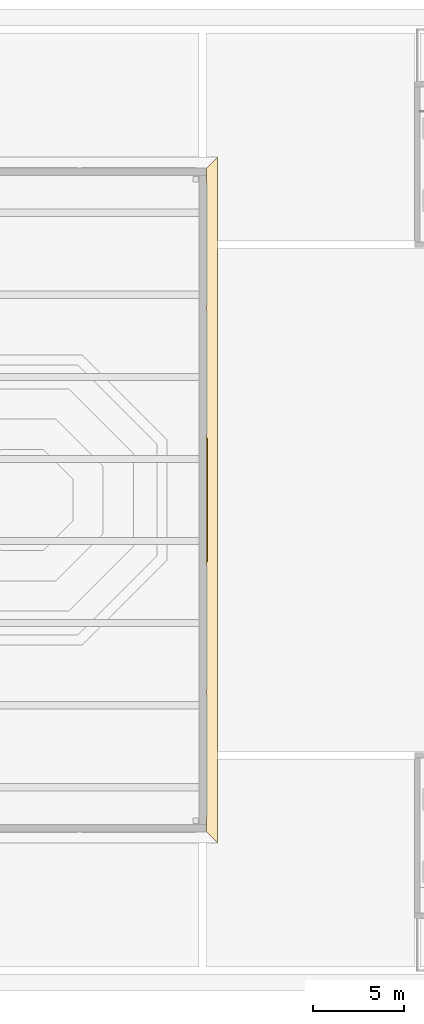
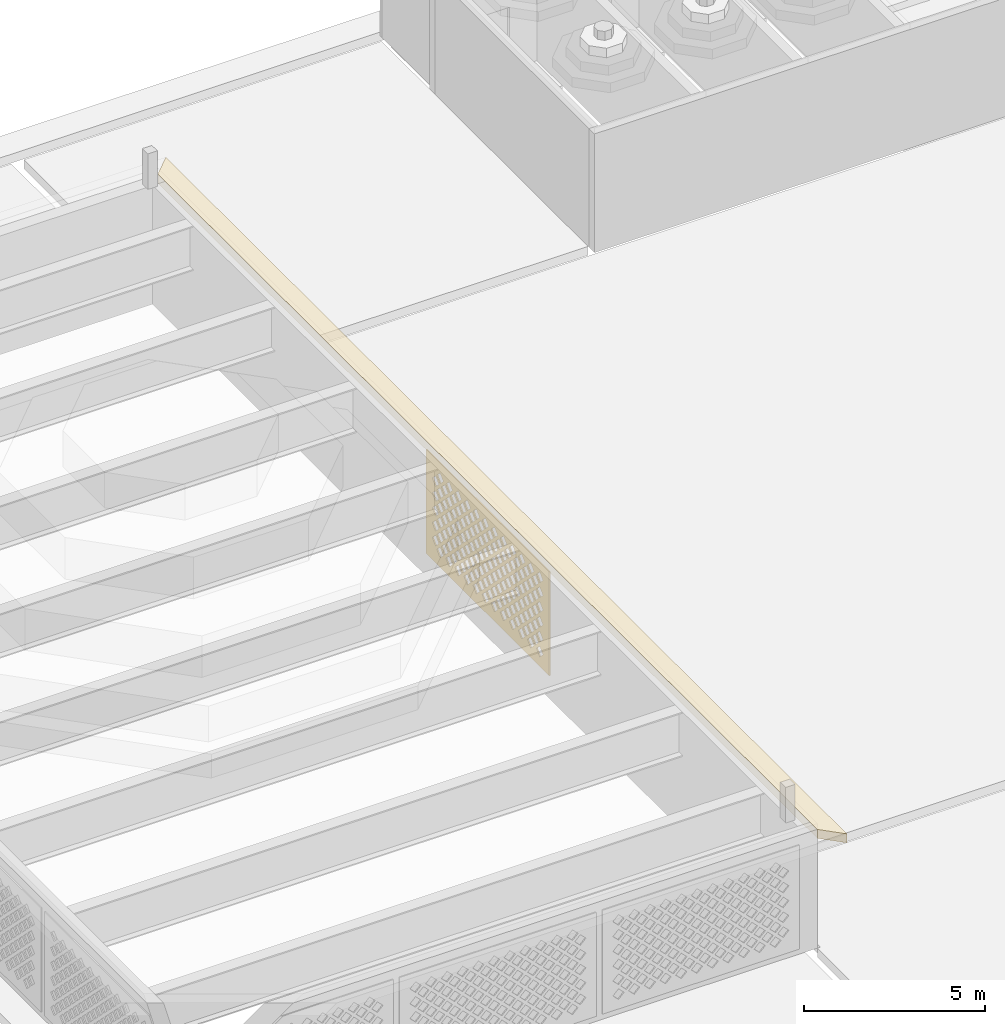
# One storey, part 27 of 63: 2 coverings.
"""IFC4 building model written with IfcOpenShell, lengths in metres."""

import ifcopenshell
import ifcopenshell.guid

model = None  # the IFC model being written
_history = None  # IfcOwnerHistory: only IFC2X3 demands one
_inside = {}  # id of a spatial element -> (the spatial element, [elements in it])
_under = {}  # id of a project, library or spatial element -> (it, [spatial elements below it])
_declared = {}  # id of a project -> (the project, [libraries it declares])
_typed = {}  # id of a type object -> (the type object, [elements of that type])
_made_of = {}  # id of a material, layer set ... -> (it, [elements and type objects made of it])


def new_model(schema):
    """Start an empty IFC model of exactly this schema.

    Asked for "IFC4X3", IfcOpenShell would pick the latest addendum, in which some entities
    have other attributes; the version numbers below select the first issue.
    IFC2X3 requires an IfcOwnerHistory on every rooted entity: one is made here for all.
    """
    global model, _history
    if schema == "IFC4X3":
        model = ifcopenshell.file(schema_version=(4, 3, 0, 0))
    else:
        model = ifcopenshell.file(schema=schema)
    _inside.clear()
    _under.clear()
    _declared.clear()
    _typed.clear()
    _made_of.clear()
    _history = None
    if model.schema == "IFC2X3":
        org = make("IfcOrganization", Name="unknown")
        user = make(
            "IfcPersonAndOrganization",
            ThePerson=make("IfcPerson", FamilyName="unknown"),
            TheOrganization=org,
        )
        app = make(
            "IfcApplication",
            ApplicationDeveloper=org,
            Version="unknown",
            ApplicationFullName="unknown",
            ApplicationIdentifier="unknown",
        )
        _history = make(
            "IfcOwnerHistory",
            OwningUser=user,
            OwningApplication=app,
            ChangeAction="ADDED",
            CreationDate=0,
        )
    return model


def make(cls, **values):
    """One entity of the class cls with the attributes given. An attribute that is None is left unset."""
    return model.create_entity(
        cls, **{name: value for name, value in values.items() if value is not None}
    )


def rooted(cls, **values):
    """An entity with a GlobalId (a new one), such as an element, a storey or a relation."""
    return make(cls, GlobalId=ifcopenshell.guid.new(), OwnerHistory=_history, **values)


def si_unit(unit_type, name, prefix=None):
    """IfcSIUnit, for example si_unit("LENGTHUNIT", "METRE", prefix="MILLI")."""
    return make("IfcSIUnit", UnitType=unit_type, Prefix=prefix, Name=name)


def assignment(units):
    """IfcUnitAssignment: the units of a project."""
    return None if units is None else make("IfcUnitAssignment", Units=units)


def point(xyz):
    """IfcCartesianPoint."""
    return None if xyz is None else make("IfcCartesianPoint", Coordinates=xyz)


def direction(xyz):
    """IfcDirection."""
    return None if xyz is None else make("IfcDirection", DirectionRatios=xyz)


def frame(location, z_axis=None, x_axis=None):
    """IfcAxis2Placement3D, a coordinate frame: its origin and axes. An axis left out is left unset."""
    return make(
        "IfcAxis2Placement3D",
        Location=point(location),
        Axis=direction(z_axis),
        RefDirection=direction(x_axis),
    )


def origin():
    """The frame at (0, 0, 0) with its axes left unset."""
    return frame((0.0, 0.0, 0.0))


def place(relative_to, where):
    """IfcLocalPlacement: puts the frame where relative to a parent placement (None: the world)."""
    return make(
        "IfcLocalPlacement", PlacementRelTo=relative_to, RelativePlacement=where
    )


def context(
    kind, dimensions, precision=None, world=None, true_north=None, identifier=None
):
    """IfcGeometricRepresentationContext, for example the 3D "Model" context."""
    return make(
        "IfcGeometricRepresentationContext",
        ContextIdentifier=identifier,
        ContextType=kind,
        CoordinateSpaceDimension=dimensions,
        Precision=precision,
        WorldCoordinateSystem=world,
        TrueNorth=true_north,
    )


def subcontext(parent, identifier, kind, view, scale=None):
    """IfcGeometricRepresentationSubContext, for example "Body" below "Model"."""
    return make(
        "IfcGeometricRepresentationSubContext",
        ContextIdentifier=identifier,
        ContextType=kind,
        ParentContext=parent,
        TargetScale=scale,
        TargetView=view,
    )


def project(units=None, contexts=None):
    """IfcProject with its units and contexts."""
    return rooted(
        "IfcProject",
        Name="project",
        RepresentationContexts=contexts,
        UnitsInContext=assignment(units),
    )


def spatial(cls, under=None, at=None, **own):
    """A site, building, storey or space (cls), placed at a placement, below another one or the project."""
    s = rooted(cls, ObjectPlacement=at, **own)
    if under is not None:
        _under.setdefault(under.id(), (under, []))[1].append(s)
    return s


def polyline(points):
    """IfcPolyline through the points."""
    return make("IfcPolyline", Points=[point(p) for p in points])


def outline(outer, holes=None, kind="AREA"):
    """IfcArbitraryClosedProfileDef: a profile drawn as a closed curve; with holes, ...WithVoids."""
    if holes is None:
        return make("IfcArbitraryClosedProfileDef", ProfileType=kind, OuterCurve=outer)
    return make(
        "IfcArbitraryProfileDefWithVoids",
        ProfileType=kind,
        OuterCurve=outer,
        InnerCurves=holes,
    )


def extrude(swept, where, along, depth):
    """IfcExtrudedAreaSolid: the profile swept, set in the frame where, extruded along a direction by depth."""
    return make(
        "IfcExtrudedAreaSolid",
        SweptArea=swept,
        Position=where,
        ExtrudedDirection=direction(along),
        Depth=depth,
    )


def shape(context_of_items, identifier, shape_type, items):
    """IfcShapeRepresentation: the items that make up one representation, for example the "Body"."""
    return make(
        "IfcShapeRepresentation",
        ContextOfItems=context_of_items,
        RepresentationIdentifier=identifier,
        RepresentationType=shape_type,
        Items=items,
    )


def material(Name=None, Category=None):
    """IfcMaterial."""
    return make("IfcMaterial", Name=Name, Category=Category)


def layer(
    of_material, thickness, ventilated=None, Name=None, Category=None, Priority=None
):
    """IfcMaterialLayer: one layer of a wall or slab, of a material (None: an air gap)."""
    return make(
        "IfcMaterialLayer",
        Material=of_material,
        LayerThickness=thickness,
        IsVentilated=ventilated,
        Name=Name,
        Category=Category,
        Priority=Priority,
    )


def layer_set(layers, Name=None):
    """IfcMaterialLayerSet."""
    return make("IfcMaterialLayerSet", MaterialLayers=layers, LayerSetName=Name)


def made_of(thing, what):
    """Note that an element or type object is made of a material, layer set ...; save() writes the relation."""
    if what is not None:
        _made_of.setdefault(what.id(), (what, []))[1].append(thing)
    return thing


def type_object(cls, material=None, **own):
    """A type object (cls), such as IfcWallType, which elements share."""
    return made_of(rooted(cls, **own), material)


def element(
    cls,
    number,
    at=None,
    inside=None,
    cuts=None,
    type_object=None,
    material=None,
    context=None,
    identifier="Body",
    shape_type=None,
    held_by="IfcProductDefinitionShape",
    body=None,
    shapes=None,
    **own,
):
    """One element of the class cls, such as IfcWall. Its Tag is "e" and its number.

    at: its placement. inside: the storey or other place that contains it. cuts: it is an
    opening in that element (IfcRelVoidsElement). A single representation is given by context,
    identifier, shape_type and body (its items); several are given by shapes. held_by: the class
    of the entity that holds the representations. save() writes the other relations.
    """
    e = rooted(cls, Tag="e%d" % number, ObjectPlacement=at, **own)
    if body is not None:
        shapes = [shape(context, identifier, shape_type, body)]
    if shapes is not None:
        e.Representation = make(held_by, Representations=shapes)
    if inside is not None:
        _inside.setdefault(inside.id(), (inside, []))[1].append(e)
    if cuts is not None:
        rooted(
            "IfcRelVoidsElement", RelatingBuildingElement=cuts, RelatedOpeningElement=e
        )
    if type_object is not None:
        _typed.setdefault(type_object.id(), (type_object, []))[1].append(e)
    return made_of(e, material)


def aggregate(whole, parts):
    """IfcRelAggregates: a whole, such as a stair, and the parts it consists of."""
    return rooted("IfcRelAggregates", RelatingObject=whole, RelatedObjects=parts)


def save(model, path):
    """Write the relations noted so far, then the file.

    IfcRelAggregates (storeys below a building ...), IfcRelContainedInSpatialStructure (elements
    in a storey), IfcRelDefinesByType, IfcRelAssociatesMaterial and IfcRelDeclares: one each for
    every whole, place, type object, material and project.
    """
    for whole, parts in _under.values():
        aggregate(whole, parts)
    for where, things in _inside.values():
        rooted(
            "IfcRelContainedInSpatialStructure",
            RelatedElements=things,
            RelatingStructure=where,
        )
    for kind, things in _typed.values():
        rooted("IfcRelDefinesByType", RelatedObjects=things, RelatingType=kind)
    for what, things in _made_of.values():
        rooted("IfcRelAssociatesMaterial", RelatedObjects=things, RelatingMaterial=what)
    for by, libraries in _declared.values():
        rooted("IfcRelDeclares", RelatingContext=by, RelatedDefinitions=libraries)
    model.write(path)


model = new_model("IFC4")

# Units and contexts
model_context = context("Model", 3, precision=1e-05, world=origin(), true_north=direction((0.0, 1.0)))
body_context = subcontext(model_context, "Body", "Model", "MODEL_VIEW")
ifc_project = project(units=[si_unit("LENGTHUNIT", "METRE"), si_unit("AREAUNIT", "SQUARE_METRE"), si_unit("VOLUMEUNIT", "CUBIC_METRE"), si_unit("PLANEANGLEUNIT", "RADIAN"), si_unit("MASSUNIT", "GRAM", prefix="KILO")], contexts=[model_context])

# Site, building, storey
site_placement = place(None, origin())
site = spatial("IfcSite", under=ifc_project, at=site_placement, CompositionType="ELEMENT")
building_placement = place(site_placement, origin())
building = spatial("IfcBuilding", under=site, at=building_placement, Name="Noorbagh Ring Tower", CompositionType="ELEMENT")
storey_placement = place(building_placement, frame((0.0, 0.0, 25.0)))
storey = spatial("IfcBuildingStorey", under=building, at=storey_placement, Name="L04", CompositionType="ELEMENT", Elevation=25.0)

# Coverings
ifc_material_1 = material(Name="Red sandstone jali", Category="masonry")
ifc_layer = layer(ifc_material_1, 0.0400390625)
ifc_layer_set = layer_set([ifc_layer], Name="Red sandstone jali")
covering_type_1 = type_object("IfcCoveringType", Name="STH-BAND", PredefinedType="USERDEFINED", material=ifc_layer_set)
covering_1_placement = place(storey_placement, frame((-139.760009765625, 1.60009765625, 0.199951171875), z_axis=(1.0, 0.0, 0.0), x_axis=(0.0, 1.0, 0.0)))
element("IfcCovering", 1, at=covering_1_placement, inside=storey, type_object=covering_type_1, Name="Jali band of the stage house", ObjectType="JALI SCREEN", PredefinedType="USERDEFINED", context=body_context, shape_type="SweptSolid", body=[
    extrude(outline(polyline([(0.0, 0.0), (6.7998046875, 0.0), (6.7998046875, 3.5), (0.0, 3.5), (0.0, 0.0)]), holes=[polyline([(0.344970703125, 0.5), (0.52490234375, 0.320068359375), (0.705078125, 0.5), (0.52490234375, 0.679931640625), (0.344970703125, 0.5)]), polyline([(0.844970703125, 0.5), (1.02490234375, 0.320068359375), (1.205078125, 0.5), (1.02490234375, 0.679931640625), (0.844970703125, 0.5)]), polyline([(1.344970703125, 0.5), (1.52490234375, 0.320068359375), (1.705078125, 0.5), (1.52490234375, 0.679931640625), (1.344970703125, 0.5)]), polyline([(1.844970703125, 0.5), (2.02490234375, 0.320068359375), (2.205078125, 0.5), (2.02490234375, 0.679931640625), (1.844970703125, 0.5)]), polyline([(2.344970703125, 0.5), (2.52490234375, 0.320068359375), (2.705078125, 0.5), (2.52490234375, 0.679931640625), (2.344970703125, 0.5)]), polyline([(2.844970703125, 0.5), (3.02490234375, 0.320068359375), (3.205078125, 0.5), (3.02490234375, 0.679931640625), (2.844970703125, 0.5)]), polyline([(3.344970703125, 0.5), (3.52490234375, 0.320068359375), (3.705078125, 0.5), (3.52490234375, 0.679931640625), (3.344970703125, 0.5)]), polyline([(3.844970703125, 0.5), (4.02490234375, 0.320068359375), (4.205078125, 0.5), (4.02490234375, 0.679931640625), (3.844970703125, 0.5)]), polyline([(4.344970703125, 0.5), (4.52490234375, 0.320068359375), (4.705078125, 0.5), (4.52490234375, 0.679931640625), (4.344970703125, 0.5)]), polyline([(4.844970703125, 0.5), (5.02490234375, 0.320068359375), (5.205078125, 0.5), (5.02490234375, 0.679931640625), (4.844970703125, 0.5)]), polyline([(5.344970703125, 0.5), (5.52490234375, 0.320068359375), (5.705078125, 0.5), (5.52490234375, 0.679931640625), (5.344970703125, 0.5)]), polyline([(5.844970703125, 0.5), (6.02490234375, 0.320068359375), (6.205078125, 0.5), (6.02490234375, 0.679931640625), (5.844970703125, 0.5)]), polyline([(0.594970703125, 0.75), (0.77490234375, 0.570068359375), (0.955078125, 0.75), (0.77490234375, 0.929931640625), (0.594970703125, 0.75)]), polyline([(1.094970703125, 0.75), (1.27490234375, 0.570068359375), (1.455078125, 0.75), (1.27490234375, 0.929931640625), (1.094970703125, 0.75)]), polyline([(1.594970703125, 0.75), (1.77490234375, 0.570068359375), (1.955078125, 0.75), (1.77490234375, 0.929931640625), (1.594970703125, 0.75)]), polyline([(2.094970703125, 0.75), (2.27490234375, 0.570068359375), (2.455078125, 0.75), (2.27490234375, 0.929931640625), (2.094970703125, 0.75)]), polyline([(2.594970703125, 0.75), (2.77490234375, 0.570068359375), (2.955078125, 0.75), (2.77490234375, 0.929931640625), (2.594970703125, 0.75)]), polyline([(3.094970703125, 0.75), (3.27490234375, 0.570068359375), (3.455078125, 0.75), (3.27490234375, 0.929931640625), (3.094970703125, 0.75)]), polyline([(3.594970703125, 0.75), (3.77490234375, 0.570068359375), (3.955078125, 0.75), (3.77490234375, 0.929931640625), (3.594970703125, 0.75)]), polyline([(4.094970703125, 0.75), (4.27490234375, 0.570068359375), (4.455078125, 0.75), (4.27490234375, 0.929931640625), (4.094970703125, 0.75)]), polyline([(4.594970703125, 0.75), (4.77490234375, 0.570068359375), (4.955078125, 0.75), (4.77490234375, 0.929931640625), (4.594970703125, 0.75)]), polyline([(5.094970703125, 0.75), (5.27490234375, 0.570068359375), (5.455078125, 0.75), (5.27490234375, 0.929931640625), (5.094970703125, 0.75)]), polyline([(5.594970703125, 0.75), (5.77490234375, 0.570068359375), (5.955078125, 0.75), (5.77490234375, 0.929931640625), (5.594970703125, 0.75)]), polyline([(6.094970703125, 0.75), (6.27490234375, 0.570068359375), (6.455078125, 0.75), (6.27490234375, 0.929931640625), (6.094970703125, 0.75)]), polyline([(0.344970703125, 1.0), (0.52490234375, 0.820068359375), (0.705078125, 1.0), (0.52490234375, 1.179931640625), (0.344970703125, 1.0)]), polyline([(0.844970703125, 1.0), (1.02490234375, 0.820068359375), (1.205078125, 1.0), (1.02490234375, 1.179931640625), (0.844970703125, 1.0)]), polyline([(1.344970703125, 1.0), (1.52490234375, 0.820068359375), (1.705078125, 1.0), (1.52490234375, 1.179931640625), (1.344970703125, 1.0)]), polyline([(1.844970703125, 1.0), (2.02490234375, 0.820068359375), (2.205078125, 1.0), (2.02490234375, 1.179931640625), (1.844970703125, 1.0)]), polyline([(2.344970703125, 1.0), (2.52490234375, 0.820068359375), (2.705078125, 1.0), (2.52490234375, 1.179931640625), (2.344970703125, 1.0)]), polyline([(2.844970703125, 1.0), (3.02490234375, 0.820068359375), (3.205078125, 1.0), (3.02490234375, 1.179931640625), (2.844970703125, 1.0)]), polyline([(3.344970703125, 1.0), (3.52490234375, 0.820068359375), (3.705078125, 1.0), (3.52490234375, 1.179931640625), (3.344970703125, 1.0)]), polyline([(3.844970703125, 1.0), (4.02490234375, 0.820068359375), (4.205078125, 1.0), (4.02490234375, 1.179931640625), (3.844970703125, 1.0)]), polyline([(4.344970703125, 1.0), (4.52490234375, 0.820068359375), (4.705078125, 1.0), (4.52490234375, 1.179931640625), (4.344970703125, 1.0)]), polyline([(4.844970703125, 1.0), (5.02490234375, 0.820068359375), (5.205078125, 1.0), (5.02490234375, 1.179931640625), (4.844970703125, 1.0)]), polyline([(5.344970703125, 1.0), (5.52490234375, 0.820068359375), (5.705078125, 1.0), (5.52490234375, 1.179931640625), (5.344970703125, 1.0)]), polyline([(5.844970703125, 1.0), (6.02490234375, 0.820068359375), (6.205078125, 1.0), (6.02490234375, 1.179931640625), (5.844970703125, 1.0)]), polyline([(0.594970703125, 1.25), (0.77490234375, 1.070068359375), (0.955078125, 1.25), (0.77490234375, 1.429931640625), (0.594970703125, 1.25)]), polyline([(1.094970703125, 1.25), (1.27490234375, 1.070068359375), (1.455078125, 1.25), (1.27490234375, 1.429931640625), (1.094970703125, 1.25)]), polyline([(1.594970703125, 1.25), (1.77490234375, 1.070068359375), (1.955078125, 1.25), (1.77490234375, 1.429931640625), (1.594970703125, 1.25)]), polyline([(2.094970703125, 1.25), (2.27490234375, 1.070068359375), (2.455078125, 1.25), (2.27490234375, 1.429931640625), (2.094970703125, 1.25)]), polyline([(2.594970703125, 1.25), (2.77490234375, 1.070068359375), (2.955078125, 1.25), (2.77490234375, 1.429931640625), (2.594970703125, 1.25)]), polyline([(3.094970703125, 1.25), (3.27490234375, 1.070068359375), (3.455078125, 1.25), (3.27490234375, 1.429931640625), (3.094970703125, 1.25)]), polyline([(3.594970703125, 1.25), (3.77490234375, 1.070068359375), (3.955078125, 1.25), (3.77490234375, 1.429931640625), (3.594970703125, 1.25)]), polyline([(4.094970703125, 1.25), (4.27490234375, 1.070068359375), (4.455078125, 1.25), (4.27490234375, 1.429931640625), (4.094970703125, 1.25)]), polyline([(4.594970703125, 1.25), (4.77490234375, 1.070068359375), (4.955078125, 1.25), (4.77490234375, 1.429931640625), (4.594970703125, 1.25)]), polyline([(5.094970703125, 1.25), (5.27490234375, 1.070068359375), (5.455078125, 1.25), (5.27490234375, 1.429931640625), (5.094970703125, 1.25)]), polyline([(5.594970703125, 1.25), (5.77490234375, 1.070068359375), (5.955078125, 1.25), (5.77490234375, 1.429931640625), (5.594970703125, 1.25)]), polyline([(6.094970703125, 1.25), (6.27490234375, 1.070068359375), (6.455078125, 1.25), (6.27490234375, 1.429931640625), (6.094970703125, 1.25)]), polyline([(0.344970703125, 1.5), (0.52490234375, 1.320068359375), (0.705078125, 1.5), (0.52490234375, 1.679931640625), (0.344970703125, 1.5)]), polyline([(0.844970703125, 1.5), (1.02490234375, 1.320068359375), (1.205078125, 1.5), (1.02490234375, 1.679931640625), (0.844970703125, 1.5)]), polyline([(1.344970703125, 1.5), (1.52490234375, 1.320068359375), (1.705078125, 1.5), (1.52490234375, 1.679931640625), (1.344970703125, 1.5)]), polyline([(1.844970703125, 1.5), (2.02490234375, 1.320068359375), (2.205078125, 1.5), (2.02490234375, 1.679931640625), (1.844970703125, 1.5)]), polyline([(2.344970703125, 1.5), (2.52490234375, 1.320068359375), (2.705078125, 1.5), (2.52490234375, 1.679931640625), (2.344970703125, 1.5)]), polyline([(2.844970703125, 1.5), (3.02490234375, 1.320068359375), (3.205078125, 1.5), (3.02490234375, 1.679931640625), (2.844970703125, 1.5)]), polyline([(3.344970703125, 1.5), (3.52490234375, 1.320068359375), (3.705078125, 1.5), (3.52490234375, 1.679931640625), (3.344970703125, 1.5)]), polyline([(3.844970703125, 1.5), (4.02490234375, 1.320068359375), (4.205078125, 1.5), (4.02490234375, 1.679931640625), (3.844970703125, 1.5)]), polyline([(4.344970703125, 1.5), (4.52490234375, 1.320068359375), (4.705078125, 1.5), (4.52490234375, 1.679931640625), (4.344970703125, 1.5)]), polyline([(4.844970703125, 1.5), (5.02490234375, 1.320068359375), (5.205078125, 1.5), (5.02490234375, 1.679931640625), (4.844970703125, 1.5)]), polyline([(5.344970703125, 1.5), (5.52490234375, 1.320068359375), (5.705078125, 1.5), (5.52490234375, 1.679931640625), (5.344970703125, 1.5)]), polyline([(5.844970703125, 1.5), (6.02490234375, 1.320068359375), (6.205078125, 1.5), (6.02490234375, 1.679931640625), (5.844970703125, 1.5)]), polyline([(0.594970703125, 1.75), (0.77490234375, 1.570068359375), (0.955078125, 1.75), (0.77490234375, 1.929931640625), (0.594970703125, 1.75)]), polyline([(1.094970703125, 1.75), (1.27490234375, 1.570068359375), (1.455078125, 1.75), (1.27490234375, 1.929931640625), (1.094970703125, 1.75)]), polyline([(1.594970703125, 1.75), (1.77490234375, 1.570068359375), (1.955078125, 1.75), (1.77490234375, 1.929931640625), (1.594970703125, 1.75)]), polyline([(2.094970703125, 1.75), (2.27490234375, 1.570068359375), (2.455078125, 1.75), (2.27490234375, 1.929931640625), (2.094970703125, 1.75)]), polyline([(2.594970703125, 1.75), (2.77490234375, 1.570068359375), (2.955078125, 1.75), (2.77490234375, 1.929931640625), (2.594970703125, 1.75)]), polyline([(3.094970703125, 1.75), (3.27490234375, 1.570068359375), (3.455078125, 1.75), (3.27490234375, 1.929931640625), (3.094970703125, 1.75)]), polyline([(3.594970703125, 1.75), (3.77490234375, 1.570068359375), (3.955078125, 1.75), (3.77490234375, 1.929931640625), (3.594970703125, 1.75)]), polyline([(4.094970703125, 1.75), (4.27490234375, 1.570068359375), (4.455078125, 1.75), (4.27490234375, 1.929931640625), (4.094970703125, 1.75)]), polyline([(4.594970703125, 1.75), (4.77490234375, 1.570068359375), (4.955078125, 1.75), (4.77490234375, 1.929931640625), (4.594970703125, 1.75)]), polyline([(5.094970703125, 1.75), (5.27490234375, 1.570068359375), (5.455078125, 1.75), (5.27490234375, 1.929931640625), (5.094970703125, 1.75)]), polyline([(5.594970703125, 1.75), (5.77490234375, 1.570068359375), (5.955078125, 1.75), (5.77490234375, 1.929931640625), (5.594970703125, 1.75)]), polyline([(6.094970703125, 1.75), (6.27490234375, 1.570068359375), (6.455078125, 1.75), (6.27490234375, 1.929931640625), (6.094970703125, 1.75)]), polyline([(0.344970703125, 2.0), (0.52490234375, 1.820068359375), (0.705078125, 2.0), (0.52490234375, 2.179931640625), (0.344970703125, 2.0)]), polyline([(0.844970703125, 2.0), (1.02490234375, 1.820068359375), (1.205078125, 2.0), (1.02490234375, 2.179931640625), (0.844970703125, 2.0)]), polyline([(1.344970703125, 2.0), (1.52490234375, 1.820068359375), (1.705078125, 2.0), (1.52490234375, 2.179931640625), (1.344970703125, 2.0)]), polyline([(1.844970703125, 2.0), (2.02490234375, 1.820068359375), (2.205078125, 2.0), (2.02490234375, 2.179931640625), (1.844970703125, 2.0)]), polyline([(2.344970703125, 2.0), (2.52490234375, 1.820068359375), (2.705078125, 2.0), (2.52490234375, 2.179931640625), (2.344970703125, 2.0)]), polyline([(2.844970703125, 2.0), (3.02490234375, 1.820068359375), (3.205078125, 2.0), (3.02490234375, 2.179931640625), (2.844970703125, 2.0)]), polyline([(3.344970703125, 2.0), (3.52490234375, 1.820068359375), (3.705078125, 2.0), (3.52490234375, 2.179931640625), (3.344970703125, 2.0)]), polyline([(3.844970703125, 2.0), (4.02490234375, 1.820068359375), (4.205078125, 2.0), (4.02490234375, 2.179931640625), (3.844970703125, 2.0)]), polyline([(4.344970703125, 2.0), (4.52490234375, 1.820068359375), (4.705078125, 2.0), (4.52490234375, 2.179931640625), (4.344970703125, 2.0)]), polyline([(4.844970703125, 2.0), (5.02490234375, 1.820068359375), (5.205078125, 2.0), (5.02490234375, 2.179931640625), (4.844970703125, 2.0)]), polyline([(5.344970703125, 2.0), (5.52490234375, 1.820068359375), (5.705078125, 2.0), (5.52490234375, 2.179931640625), (5.344970703125, 2.0)]), polyline([(5.844970703125, 2.0), (6.02490234375, 1.820068359375), (6.205078125, 2.0), (6.02490234375, 2.179931640625), (5.844970703125, 2.0)]), polyline([(0.594970703125, 2.25), (0.77490234375, 2.070068359375), (0.955078125, 2.25), (0.77490234375, 2.429931640625), (0.594970703125, 2.25)]), polyline([(1.094970703125, 2.25), (1.27490234375, 2.070068359375), (1.455078125, 2.25), (1.27490234375, 2.429931640625), (1.094970703125, 2.25)]), polyline([(1.594970703125, 2.25), (1.77490234375, 2.070068359375), (1.955078125, 2.25), (1.77490234375, 2.429931640625), (1.594970703125, 2.25)]), polyline([(2.094970703125, 2.25), (2.27490234375, 2.070068359375), (2.455078125, 2.25), (2.27490234375, 2.429931640625), (2.094970703125, 2.25)]), polyline([(2.594970703125, 2.25), (2.77490234375, 2.070068359375), (2.955078125, 2.25), (2.77490234375, 2.429931640625), (2.594970703125, 2.25)]), polyline([(3.094970703125, 2.25), (3.27490234375, 2.070068359375), (3.455078125, 2.25), (3.27490234375, 2.429931640625), (3.094970703125, 2.25)]), polyline([(3.594970703125, 2.25), (3.77490234375, 2.070068359375), (3.955078125, 2.25), (3.77490234375, 2.429931640625), (3.594970703125, 2.25)]), polyline([(4.094970703125, 2.25), (4.27490234375, 2.070068359375), (4.455078125, 2.25), (4.27490234375, 2.429931640625), (4.094970703125, 2.25)]), polyline([(4.594970703125, 2.25), (4.77490234375, 2.070068359375), (4.955078125, 2.25), (4.77490234375, 2.429931640625), (4.594970703125, 2.25)]), polyline([(5.094970703125, 2.25), (5.27490234375, 2.070068359375), (5.455078125, 2.25), (5.27490234375, 2.429931640625), (5.094970703125, 2.25)]), polyline([(5.594970703125, 2.25), (5.77490234375, 2.070068359375), (5.955078125, 2.25), (5.77490234375, 2.429931640625), (5.594970703125, 2.25)]), polyline([(6.094970703125, 2.25), (6.27490234375, 2.070068359375), (6.455078125, 2.25), (6.27490234375, 2.429931640625), (6.094970703125, 2.25)]), polyline([(0.344970703125, 2.5), (0.52490234375, 2.320068359375), (0.705078125, 2.5), (0.52490234375, 2.679931640625), (0.344970703125, 2.5)]), polyline([(0.844970703125, 2.5), (1.02490234375, 2.320068359375), (1.205078125, 2.5), (1.02490234375, 2.679931640625), (0.844970703125, 2.5)]), polyline([(1.344970703125, 2.5), (1.52490234375, 2.320068359375), (1.705078125, 2.5), (1.52490234375, 2.679931640625), (1.344970703125, 2.5)]), polyline([(1.844970703125, 2.5), (2.02490234375, 2.320068359375), (2.205078125, 2.5), (2.02490234375, 2.679931640625), (1.844970703125, 2.5)]), polyline([(2.344970703125, 2.5), (2.52490234375, 2.320068359375), (2.705078125, 2.5), (2.52490234375, 2.679931640625), (2.344970703125, 2.5)]), polyline([(2.844970703125, 2.5), (3.02490234375, 2.320068359375), (3.205078125, 2.5), (3.02490234375, 2.679931640625), (2.844970703125, 2.5)]), polyline([(3.344970703125, 2.5), (3.52490234375, 2.320068359375), (3.705078125, 2.5), (3.52490234375, 2.679931640625), (3.344970703125, 2.5)]), polyline([(3.844970703125, 2.5), (4.02490234375, 2.320068359375), (4.205078125, 2.5), (4.02490234375, 2.679931640625), (3.844970703125, 2.5)]), polyline([(4.344970703125, 2.5), (4.52490234375, 2.320068359375), (4.705078125, 2.5), (4.52490234375, 2.679931640625), (4.344970703125, 2.5)]), polyline([(4.844970703125, 2.5), (5.02490234375, 2.320068359375), (5.205078125, 2.5), (5.02490234375, 2.679931640625), (4.844970703125, 2.5)]), polyline([(5.344970703125, 2.5), (5.52490234375, 2.320068359375), (5.705078125, 2.5), (5.52490234375, 2.679931640625), (5.344970703125, 2.5)]), polyline([(5.844970703125, 2.5), (6.02490234375, 2.320068359375), (6.205078125, 2.5), (6.02490234375, 2.679931640625), (5.844970703125, 2.5)]), polyline([(0.594970703125, 2.75), (0.77490234375, 2.570068359375), (0.955078125, 2.75), (0.77490234375, 2.929931640625), (0.594970703125, 2.75)]), polyline([(1.094970703125, 2.75), (1.27490234375, 2.570068359375), (1.455078125, 2.75), (1.27490234375, 2.929931640625), (1.094970703125, 2.75)]), polyline([(1.594970703125, 2.75), (1.77490234375, 2.570068359375), (1.955078125, 2.75), (1.77490234375, 2.929931640625), (1.594970703125, 2.75)]), polyline([(2.094970703125, 2.75), (2.27490234375, 2.570068359375), (2.455078125, 2.75), (2.27490234375, 2.929931640625), (2.094970703125, 2.75)]), polyline([(2.594970703125, 2.75), (2.77490234375, 2.570068359375), (2.955078125, 2.75), (2.77490234375, 2.929931640625), (2.594970703125, 2.75)]), polyline([(3.094970703125, 2.75), (3.27490234375, 2.570068359375), (3.455078125, 2.75), (3.27490234375, 2.929931640625), (3.094970703125, 2.75)]), polyline([(3.594970703125, 2.75), (3.77490234375, 2.570068359375), (3.955078125, 2.75), (3.77490234375, 2.929931640625), (3.594970703125, 2.75)]), polyline([(4.094970703125, 2.75), (4.27490234375, 2.570068359375), (4.455078125, 2.75), (4.27490234375, 2.929931640625), (4.094970703125, 2.75)]), polyline([(4.594970703125, 2.75), (4.77490234375, 2.570068359375), (4.955078125, 2.75), (4.77490234375, 2.929931640625), (4.594970703125, 2.75)]), polyline([(5.094970703125, 2.75), (5.27490234375, 2.570068359375), (5.455078125, 2.75), (5.27490234375, 2.929931640625), (5.094970703125, 2.75)]), polyline([(5.594970703125, 2.75), (5.77490234375, 2.570068359375), (5.955078125, 2.75), (5.77490234375, 2.929931640625), (5.594970703125, 2.75)]), polyline([(6.094970703125, 2.75), (6.27490234375, 2.570068359375), (6.455078125, 2.75), (6.27490234375, 2.929931640625), (6.094970703125, 2.75)]), polyline([(0.344970703125, 3.0), (0.52490234375, 2.820068359375), (0.705078125, 3.0), (0.52490234375, 3.179931640625), (0.344970703125, 3.0)]), polyline([(0.844970703125, 3.0), (1.02490234375, 2.820068359375), (1.205078125, 3.0), (1.02490234375, 3.179931640625), (0.844970703125, 3.0)]), polyline([(1.344970703125, 3.0), (1.52490234375, 2.820068359375), (1.705078125, 3.0), (1.52490234375, 3.179931640625), (1.344970703125, 3.0)]), polyline([(1.844970703125, 3.0), (2.02490234375, 2.820068359375), (2.205078125, 3.0), (2.02490234375, 3.179931640625), (1.844970703125, 3.0)]), polyline([(2.344970703125, 3.0), (2.52490234375, 2.820068359375), (2.705078125, 3.0), (2.52490234375, 3.179931640625), (2.344970703125, 3.0)]), polyline([(2.844970703125, 3.0), (3.02490234375, 2.820068359375), (3.205078125, 3.0), (3.02490234375, 3.179931640625), (2.844970703125, 3.0)]), polyline([(3.344970703125, 3.0), (3.52490234375, 2.820068359375), (3.705078125, 3.0), (3.52490234375, 3.179931640625), (3.344970703125, 3.0)]), polyline([(3.844970703125, 3.0), (4.02490234375, 2.820068359375), (4.205078125, 3.0), (4.02490234375, 3.179931640625), (3.844970703125, 3.0)]), polyline([(4.344970703125, 3.0), (4.52490234375, 2.820068359375), (4.705078125, 3.0), (4.52490234375, 3.179931640625), (4.344970703125, 3.0)]), polyline([(4.844970703125, 3.0), (5.02490234375, 2.820068359375), (5.205078125, 3.0), (5.02490234375, 3.179931640625), (4.844970703125, 3.0)]), polyline([(5.344970703125, 3.0), (5.52490234375, 2.820068359375), (5.705078125, 3.0), (5.52490234375, 3.179931640625), (5.344970703125, 3.0)]), polyline([(5.844970703125, 3.0), (6.02490234375, 2.820068359375), (6.205078125, 3.0), (6.02490234375, 3.179931640625), (5.844970703125, 3.0)])]), origin(), (0.0, 0.0, -1.0), 0.0400390625),
])
ifc_material_2 = material(Name="Red sandstone eave", Category="masonry")
covering_type_2 = type_object("IfcCoveringType", Name="STH-CHHAJJA", PredefinedType="USERDEFINED", material=ifc_material_2)
covering_2_placement = place(storey_placement, frame((0.0, 0.0, 3.699951171875)))
element("IfcCovering", 2, at=covering_2_placement, inside=storey, type_object=covering_type_2, Name="Cornice of the stage house", ObjectType="CHHAJJA", PredefinedType="USERDEFINED", context=body_context, shape_type="SweptSolid", body=[
    extrude(outline(polyline([(-139.800048828125, -13.199951171875), (-139.800048828125, 23.199951171875), (-139.199951171875, 23.800048828125), (-139.199951171875, -13.800048828125), (-139.800048828125, -13.199951171875)])), origin(), (0.0, 0.0, 1.0), 0.300048828125),
])

save(model, "model.ifc")
